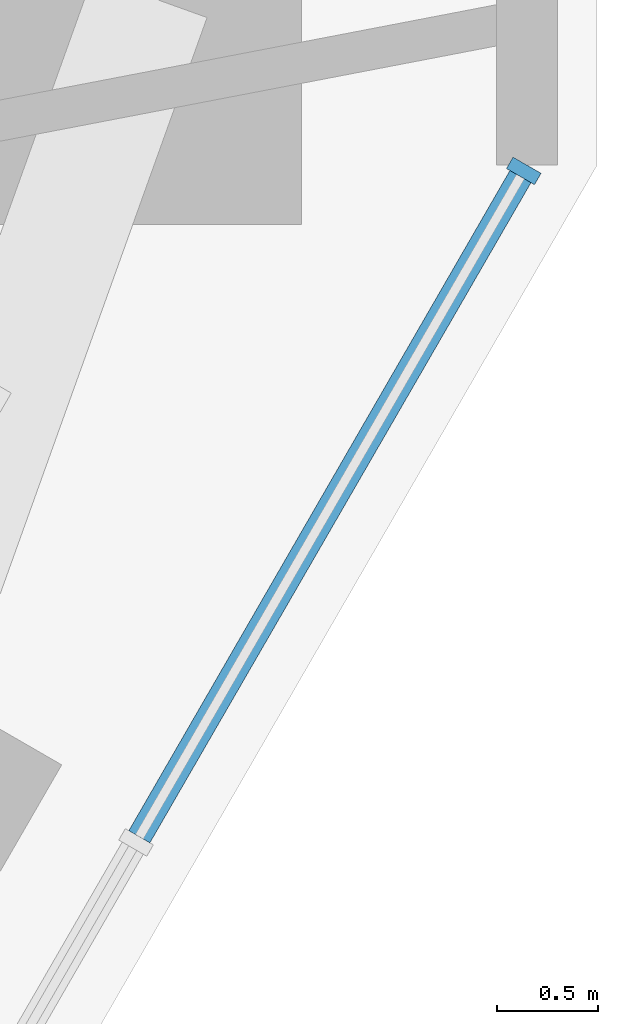
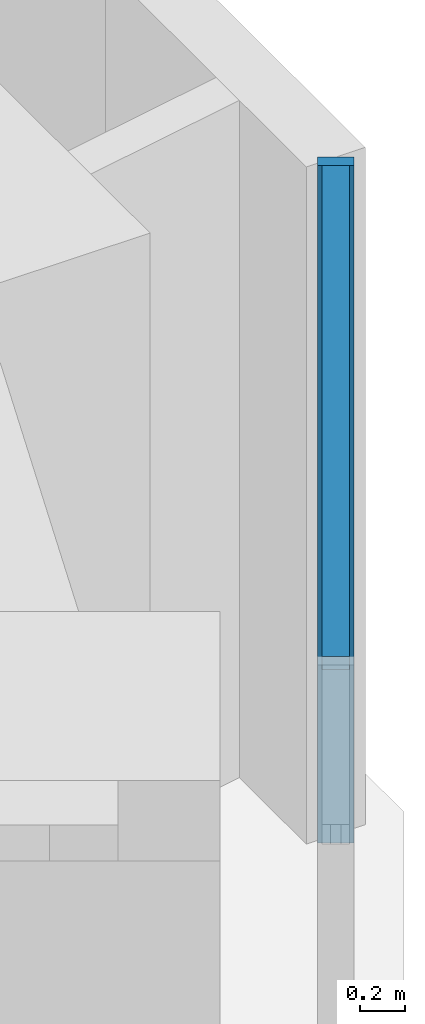
# One storey, part 6 of 16: 2 members, 1 element without a shape of its own.
"""IFC4 building model written with IfcOpenShell, lengths in metres."""

from ifc_helpers import new_model, si_unit, direction, frame, origin, origin_2d, place, context, subcontext, project, spatial, rectangle, extrude, material, material_profile, profile_set, type_object, element, aggregate, save


model = new_model("IFC4")

# Units and contexts
model_context = context("Model", 3, precision=1e-05, world=origin(), true_north=direction((0.0, 1.0)))
body_context = subcontext(model_context, "Body", "Model", "MODEL_VIEW")
ifc_project = project(units=[si_unit("LENGTHUNIT", "METRE"), si_unit("AREAUNIT", "SQUARE_METRE"), si_unit("VOLUMEUNIT", "CUBIC_METRE"), si_unit("PLANEANGLEUNIT", "RADIAN"), si_unit("MASSUNIT", "GRAM", prefix="KILO")], contexts=[model_context])

# Site, building, storey
site_placement = place(None, origin())
site = spatial("IfcSite", under=ifc_project, at=site_placement, CompositionType="ELEMENT")
building_placement = place(site_placement, origin())
building = spatial("IfcBuilding", under=site, at=building_placement, Name="Sandreach Pilgrim Tower", CompositionType="ELEMENT")
storey_placement = place(building_placement, frame((0.0, 0.0, 206.0)))
storey = spatial("IfcBuildingStorey", under=building, at=storey_placement, Name="L51", CompositionType="ELEMENT", Elevation=206.0)

# Curtain wall, members
ifc_material_1 = material(Name="Aluminium framed curtain wall", Category="aluminium")
curtain_wall_type = type_object("IfcCurtainWallType", Name="Upper hotel tower curtain wall", PredefinedType="NOTDEFINED", material=ifc_material_1)
curtain_wall_placement = place(storey_placement, origin())
curtain_wall = element("IfcCurtainWall", 1, at=curtain_wall_placement, inside=storey, type_object=curtain_wall_type, Name="CW-3 L51 SE", PredefinedType="NOTDEFINED")
ifc_material_2 = material(Name="Aluminium extrusion", Category="aluminium")
ifc_material_profile_1 = material_profile(ifc_material_2, rectangle(XDim=0.06494140625, YDim=0.159912109375, at=origin_2d()), Name="CW-3M 65X160")
ifc_profile_set_1 = profile_set([ifc_material_profile_1], Name="Aluminium extrusion")
member_type_1 = type_object("IfcMemberType", Name="CW-3 mullion", PredefinedType="MULLION", material=ifc_profile_set_1)
member_1_placement = place(storey_placement, frame((27.00390625, 4.451904296875, 0.0), z_axis=(0.0, 0.0, 1.0), x_axis=(-0.5, -0.866025403784, 0.0)))
member_1 = element("IfcMember", 2, at=member_1_placement, type_object=member_type_1, Name="CW-3 mullion 1", PredefinedType="MULLION", context=body_context, shape_type="SweptSolid", body=[
    extrude(rectangle(XDim=0.06494140625, YDim=0.159912109375, at=origin_2d()), origin(), (0.0, 0.0, 1.0), 3.639892578125),
])
ifc_material_3 = material(Name="Aluminium extrusion", Category="aluminium")
ifc_material_profile_2 = material_profile(ifc_material_3, rectangle(XDim=0.1201171875, YDim=0.070068359375, at=origin_2d()), Name="CW-3T 120X70")
ifc_profile_set_2 = profile_set([ifc_material_profile_2], Name="Aluminium extrusion")
member_type_2 = type_object("IfcMemberType", Name="CW-3 transom", PredefinedType="USERDEFINED", material=ifc_profile_set_2)
member_2_placement = place(storey_placement, frame((26.987548828125, 4.423828125, 3.60498046875), z_axis=(-0.499944992379, -0.86605716012, 0.0), x_axis=(0.86605716012, -0.499944992379, 0.0)))
member_2 = element("IfcMember", 3, at=member_2_placement, type_object=member_type_2, Name="CW-3 head transom 1", ObjectType="TRANSOM", PredefinedType="USERDEFINED", context=body_context, shape_type="SweptSolid", body=[
    extrude(rectangle(XDim=0.1201171875, YDim=0.070068359375, at=origin_2d()), origin(), (0.0, 0.0, 1.0), 3.76708984375),
])
aggregate(curtain_wall, [member_1, member_2])

save(model, "model.ifc")
